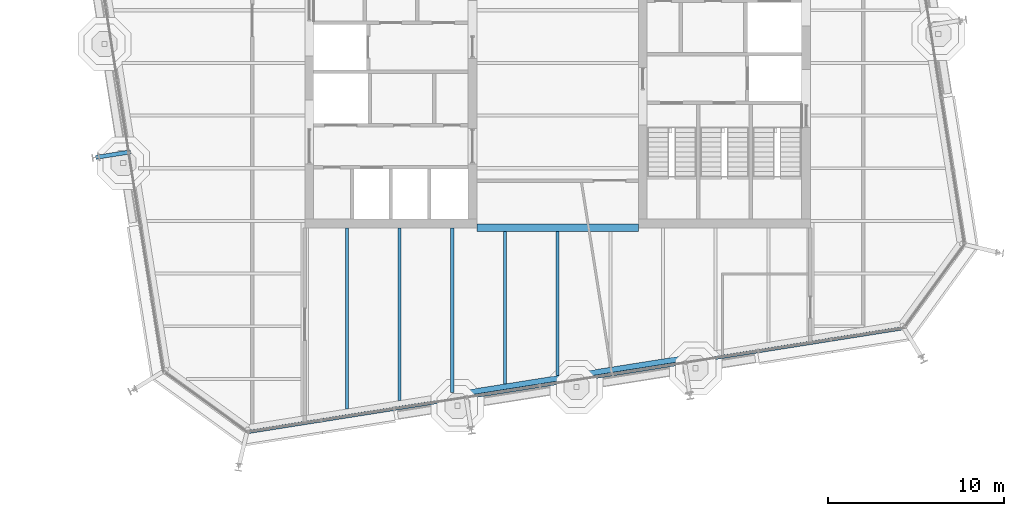
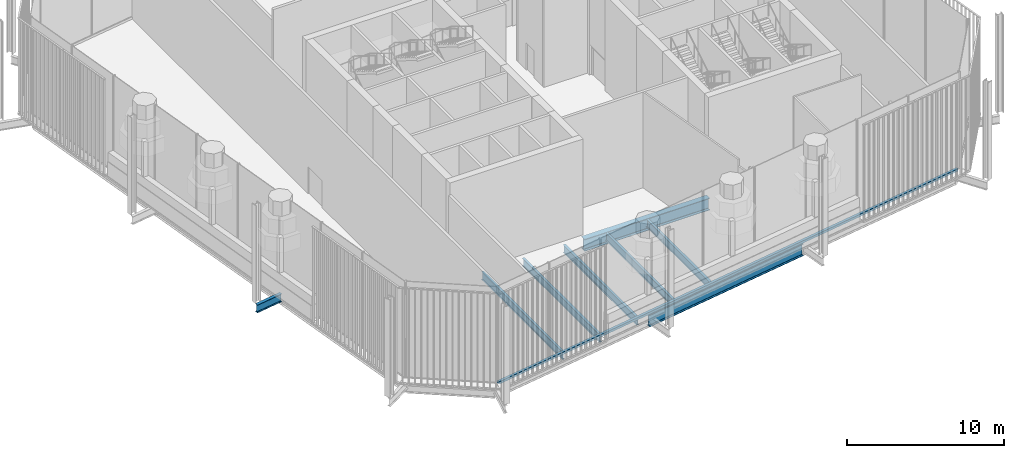
# One storey, part 3 of 17: 8 beams, 1 member, 1 element without a shape of its own.
"""IFC4 building model written with IfcOpenShell, lengths in metres."""

from ifc_helpers import new_model, si_unit, direction, frame, origin, origin_2d, place, context, subcontext, project, spatial, rectangle, i_section, extrude, material, layer, layer_set, material_profile, profile_set, type_object, element, aggregate, save


model = new_model("IFC4")

# Units and contexts
model_context = context("Model", 3, precision=1e-05, world=origin(), true_north=direction((0.0, 1.0)))
body_context = subcontext(model_context, "Body", "Model", "MODEL_VIEW")
ifc_project = project(units=[si_unit("LENGTHUNIT", "METRE"), si_unit("AREAUNIT", "SQUARE_METRE"), si_unit("VOLUMEUNIT", "CUBIC_METRE"), si_unit("PLANEANGLEUNIT", "RADIAN"), si_unit("MASSUNIT", "GRAM", prefix="KILO")], contexts=[model_context])

# Site, building, storey
site_placement = place(None, origin())
site = spatial("IfcSite", under=ifc_project, at=site_placement, CompositionType="ELEMENT")
building_placement = place(site_placement, origin())
building = spatial("IfcBuilding", under=site, at=building_placement, Name="Millrace Tower", CompositionType="ELEMENT")
storey_placement = place(building_placement, frame((0.0, 0.0, 239.800048828125)))
storey = spatial("IfcBuildingStorey", under=building, at=storey_placement, Name="L55", CompositionType="ELEMENT", Elevation=239.800048828125)

# Curtain wall, member
ifc_material_1 = material(Name="Aluminium and glass", Category="aluminium")
ifc_layer = layer(ifc_material_1, 0.199951171875)
ifc_layer_set = layer_set([ifc_layer], Name="Aluminium and glass")
curtain_wall_type = type_object("IfcCurtainWallType", Name="CW-4 sky garden winter glazing", PredefinedType="NOTDEFINED", material=ifc_layer_set)
curtain_wall_placement = place(storey_placement, origin())
curtain_wall = element("IfcCurtainWall", 1, at=curtain_wall_placement, inside=storey, type_object=curtain_wall_type, Name="Curtain wall D-F02 L55", PredefinedType="NOTDEFINED")
ifc_material_2 = material(Name="Aluminium", Category="aluminium")
ifc_material_profile_1 = material_profile(ifc_material_2, rectangle(XDim=0.199951171875, YDim=0.179931640625, at=origin_2d()))
ifc_profile_set_1 = profile_set([ifc_material_profile_1], Name="Aluminium")
member_type = type_object("IfcMemberType", Name="CW-4 sky garden winter glazing transom", PredefinedType="USERDEFINED", material=ifc_profile_set_1)
member_placement = place(storey_placement, frame((-17.554931640625, -21.006591796875, 0.08984375), z_axis=(0.987687829698, 0.156437690685, 0.0), x_axis=(-0.156437690685, 0.987687829698, 0.0)))
member = element("IfcMember", 2, at=member_placement, type_object=member_type, Name="CW4 transom D-F02.1", ObjectType="TRANSOM", PredefinedType="USERDEFINED", context=body_context, shape_type="SweptSolid", body=[
    extrude(rectangle(XDim=0.199951171875, YDim=0.179931640625, at=origin_2d()), origin(), (0.0, 0.0, 1.0), 37.60009765625),
])
aggregate(curtain_wall, [member])

# Beams
ifc_material_3 = material(Name="Steel ASTM A992 Grade 50", Category="steel")
ifc_material_profile_2 = material_profile(ifc_material_3, i_section(OverallWidth=0.177978515625, OverallDepth=0.599365234375, WebThickness=0.010009765625, FlangeThickness=0.012939453125, FilletRadius=0.012939453125, at=origin_2d()))
ifc_profile_set_2 = profile_set([ifc_material_profile_2], Name="Steel ASTM A992 Grade 50")
beam_type_1 = type_object("IfcBeamType", Name="Floor beam W24x55", PredefinedType="JOIST", material=ifc_profile_set_2)
beam_1_placement = place(storey_placement, frame((-9.0, -19.2392578125, -0.5498046875), z_axis=(0.0, 1.0, 0.0), x_axis=(-1.0, 0.0, 0.0)))
element("IfcBeam", 3, at=beam_1_placement, inside=storey, type_object=beam_type_1, Name="BM-D-L55-S1-S039", PredefinedType="JOIST", context=body_context, shape_type="SweptSolid", body=[
    extrude(i_section(OverallWidth=0.177978515625, OverallDepth=0.599365234375, WebThickness=0.010009765625, FlangeThickness=0.012939453125, FilletRadius=0.012939453125, at=origin_2d()), origin(), (0.0, 0.0, 1.0), 9.83935546875),
])
beam_2_placement = place(storey_placement, frame((-6.0, -18.763916015625, -0.5498046875), z_axis=(0.0, 1.0, 0.0), x_axis=(-1.0, 0.0, 0.0)))
element("IfcBeam", 4, at=beam_2_placement, inside=storey, type_object=beam_type_1, Name="BM-D-L55-S1-S041", PredefinedType="JOIST", context=body_context, shape_type="SweptSolid", body=[
    extrude(i_section(OverallWidth=0.177978515625, OverallDepth=0.599365234375, WebThickness=0.010009765625, FlangeThickness=0.012939453125, FilletRadius=0.012939453125, at=origin_2d()), origin(), (0.0, 0.0, 1.0), 9.364013671875),
])
beam_3_placement = place(storey_placement, frame((-3.0, -18.288818359375, -0.5498046875), z_axis=(0.0, 1.0, 0.0), x_axis=(-1.0, 0.0, 0.0)))
element("IfcBeam", 5, at=beam_3_placement, inside=storey, type_object=beam_type_1, Name="BM-D-L55-S1-S043", PredefinedType="JOIST", context=body_context, shape_type="SweptSolid", body=[
    extrude(i_section(OverallWidth=0.177978515625, OverallDepth=0.599365234375, WebThickness=0.010009765625, FlangeThickness=0.012939453125, FilletRadius=0.012939453125, at=origin_2d()), origin(), (0.0, 0.0, 1.0), 8.67919921875),
])
beam_4_placement = place(storey_placement, frame((0.0, -17.813720703125, -0.5498046875), z_axis=(0.0, 1.0, 0.0), x_axis=(-1.0, 0.0, 0.0)))
element("IfcBeam", 6, at=beam_4_placement, inside=storey, type_object=beam_type_1, Name="BM-D-L55-S1-S045", PredefinedType="JOIST", context=body_context, shape_type="SweptSolid", body=[
    extrude(i_section(OverallWidth=0.177978515625, OverallDepth=0.599365234375, WebThickness=0.010009765625, FlangeThickness=0.012939453125, FilletRadius=0.012939453125, at=origin_2d()), origin(), (0.0, 0.0, 1.0), 8.2041015625),
])
ifc_material_4 = material(Name="Steel ASTM A992 Grade 50", Category="steel")
ifc_material_profile_3 = material_profile(ifc_material_4, i_section(OverallWidth=0.1787109375, OverallDepth=0.60205078125, WebThickness=0.010986328125, FlangeThickness=0.014892578125, FilletRadius=0.0126953125, at=origin_2d()))
ifc_profile_set_3 = profile_set([ifc_material_profile_3], Name="Steel ASTM A992 Grade 50")
beam_type_2 = type_object("IfcBeamType", Name="Floor beam W24x62", PredefinedType="JOIST", material=ifc_profile_set_3)
beam_5_placement = place(storey_placement, frame((-12.0, -19.71435546875, -0.551025390625), z_axis=(0.0, 1.0, 0.0), x_axis=(-1.0, 0.0, 0.0)))
element("IfcBeam", 7, at=beam_5_placement, inside=storey, type_object=beam_type_2, Name="BM-D-L55-S1-S037", PredefinedType="JOIST", context=body_context, shape_type="SweptSolid", body=[
    extrude(i_section(OverallWidth=0.1787109375, OverallDepth=0.60205078125, WebThickness=0.010986328125, FlangeThickness=0.014892578125, FilletRadius=0.0126953125, at=origin_2d()), origin(), (0.0, 0.0, 1.0), 10.314453125),
])
ifc_material_5 = material(Name="Steel ASTM A992 Grade 50", Category="steel")
ifc_material_profile_4 = material_profile(ifc_material_5, i_section(OverallWidth=0.419189453125, OverallDepth=0.927001953125, WebThickness=0.019287109375, FlangeThickness=0.031982421875, FilletRadius=0.024169921875, at=origin_2d()))
ifc_profile_set_4 = profile_set([ifc_material_profile_4], Name="Steel ASTM A992 Grade 50")
beam_type_3 = type_object("IfcBeamType", Name="Girder short span W36x231", PredefinedType="BEAM", material=ifc_profile_set_4)
beam_6_placement = place(storey_placement, frame((-4.60009765625, -9.39990234375, -0.713623046875), z_axis=(1.0, 0.0, 0.0), x_axis=(0.0, 1.0, 0.0)))
element("IfcBeam", 8, at=beam_6_placement, inside=storey, type_object=beam_type_3, Name="BM-D-L55-S1-G059", PredefinedType="BEAM", context=body_context, shape_type="SweptSolid", body=[
    extrude(i_section(OverallWidth=0.419189453125, OverallDepth=0.927001953125, WebThickness=0.019287109375, FlangeThickness=0.031982421875, FilletRadius=0.024169921875, at=origin_2d()), origin(), (0.0, 0.0, 1.0), 9.2001953125),
])
ifc_material_6 = material(Name="Steel ASTM A992 Grade 50", Category="steel")
ifc_material_profile_5 = material_profile(ifc_material_6, i_section(OverallWidth=0.23046875, OverallDepth=0.6171875, WebThickness=0.01318359375, FlangeThickness=0.022216796875, FilletRadius=0.012939453125, at=origin_2d()))
ifc_profile_set_5 = profile_set([ifc_material_profile_5], Name="Steel ASTM A992 Grade 50")
beam_type_4 = type_object("IfcBeamType", Name="Link beam W24x94", PredefinedType="BEAM", material=ifc_profile_set_5)
beam_7_placement = place(storey_placement, frame((-24.331298828125, -5.0703125, -0.55859375), z_axis=(-0.987678691416, -0.156495375404, 0.0), x_axis=(0.156495375404, -0.987678691416, 0.0)))
element("IfcBeam", 9, at=beam_7_placement, inside=storey, type_object=beam_type_4, Name="LNK-D-L55-S1-02", PredefinedType="BEAM", context=body_context, shape_type="SweptSolid", body=[
    extrude(i_section(OverallWidth=0.23046875, OverallDepth=0.6171875, WebThickness=0.01318359375, FlangeThickness=0.022216796875, FilletRadius=0.012939453125, at=origin_2d()), origin(), (0.0, 0.0, 1.0), 2.0),
])
ifc_material_7 = material(Name="Steel ASTM A992 Grade 50", Category="steel")
ifc_material_profile_6 = material_profile(ifc_material_7, i_section(OverallWidth=0.307373046875, OverallDepth=0.927001953125, WebThickness=0.01953125, FlangeThickness=0.031982421875, FilletRadius=0.01904296875, at=origin_2d()))
ifc_profile_set_6 = profile_set([ifc_material_profile_6], Name="Steel ASTM A992 Grade 50")
beam_type_5 = type_object("IfcBeamType", Name="Ring beam medium span W36x194", PredefinedType="SPANDREL", material=ifc_profile_set_6)
beam_8_placement = place(storey_placement, frame((7.1962890625, -16.82958984375, -0.713623046875), z_axis=(-0.987689802912, -0.156425232058, 0.0), x_axis=(0.156425232058, -0.987689802912, 0.0)))
element("IfcBeam", 10, at=beam_8_placement, inside=storey, type_object=beam_type_5, Name="RNG-D-L55-S1-14", PredefinedType="SPANDREL", context=body_context, shape_type="SweptSolid", body=[
    extrude(i_section(OverallWidth=0.307373046875, OverallDepth=0.927001953125, WebThickness=0.01953125, FlangeThickness=0.031982421875, FilletRadius=0.01904296875, at=origin_2d()), origin(), (0.0, 0.0, 1.0), 12.599853515625),
])

save(model, "model.ifc")
